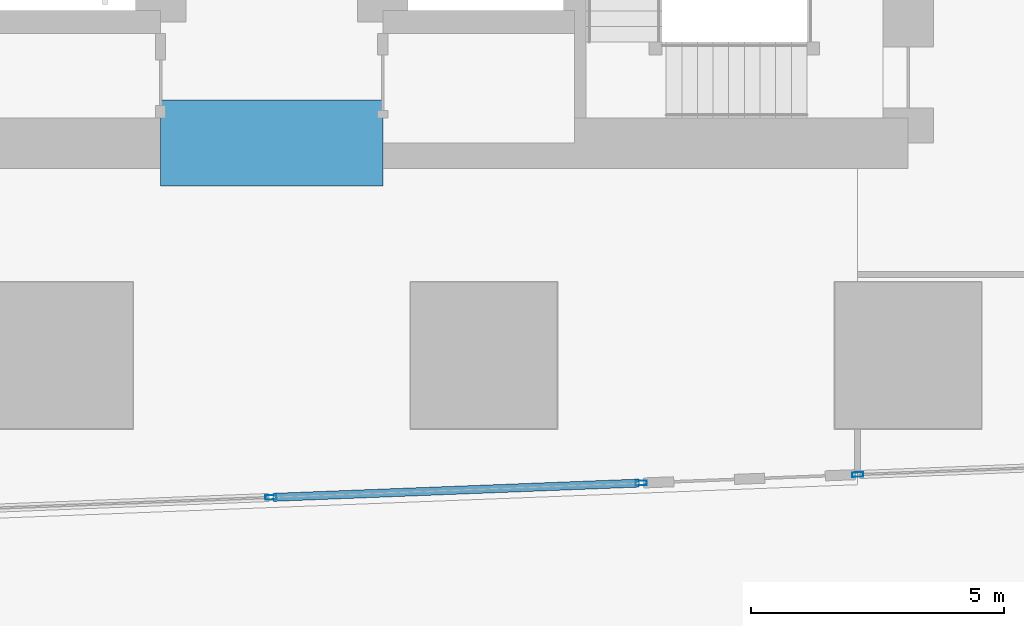
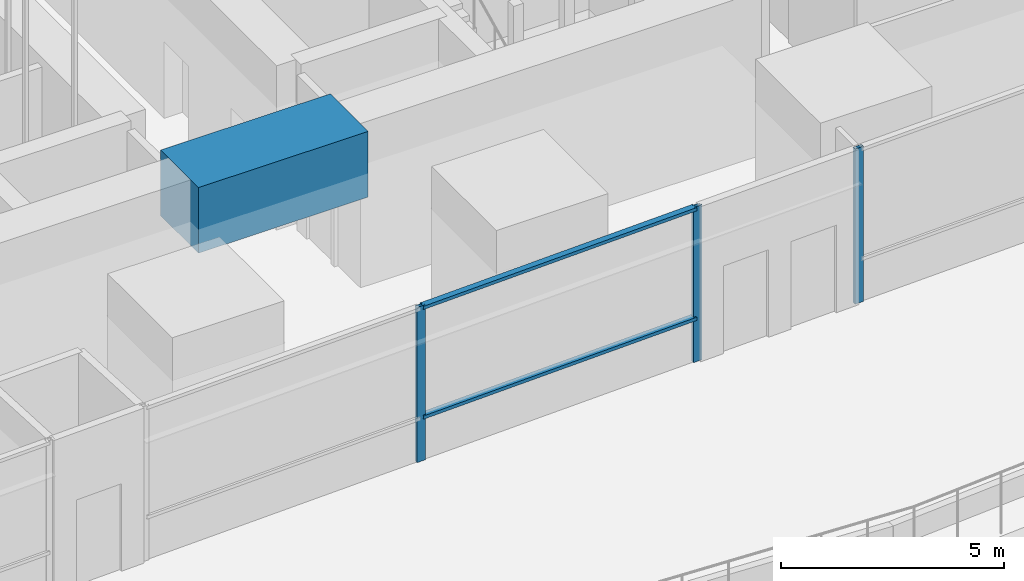
# One storey, part 6 of 44: 5 members, 1 beam, 2 elements without a shape of their own.
"""IFC4 building model written with IfcOpenShell, lengths in metres."""

from ifc_helpers import new_model, si_unit, direction, frame, origin, origin_2d, place, context, subcontext, project, spatial, rectangle, hollow_rectangle, extrude, material, material_profile, profile_set, type_object, element, aggregate, save


model = new_model("IFC4")

# Units and contexts
model_context = context("Model", 3, precision=1e-05, world=origin(), true_north=direction((0.0, 1.0)))
body_context = subcontext(model_context, "Body", "Model", "MODEL_VIEW")
ifc_project = project(units=[si_unit("LENGTHUNIT", "METRE"), si_unit("AREAUNIT", "SQUARE_METRE"), si_unit("VOLUMEUNIT", "CUBIC_METRE"), si_unit("PLANEANGLEUNIT", "RADIAN"), si_unit("MASSUNIT", "GRAM", prefix="KILO")], contexts=[model_context])

# Site, building, storey
site_placement = place(None, origin())
site = spatial("IfcSite", under=ifc_project, at=site_placement, CompositionType="ELEMENT")
building_placement = place(site_placement, origin())
building = spatial("IfcBuilding", under=site, at=building_placement, Name="Rekha Terrace Tower", CompositionType="ELEMENT")
storey_placement = place(building_placement, frame((0.0, 0.0, 90.800048828125)))
storey = spatial("IfcBuildingStorey", under=building, at=storey_placement, Name="L22", CompositionType="ELEMENT", Elevation=90.800048828125)

# Curtain wall, members
ifc_material_1 = material(Name="Aluminium framing", Category="aluminium")
curtain_wall_type = type_object("IfcCurtainWallType", Name="CW5 sky garden glazing", PredefinedType="USERDEFINED", material=ifc_material_1)
curtain_wall_1_placement = place(storey_placement, origin())
curtain_wall_1 = element("IfcCurtainWall", 1, at=curtain_wall_1_placement, inside=storey, type_object=curtain_wall_type, Name="CW5 sky garden curtain wall", ObjectType="SKY GARDEN CURTAIN WALL", PredefinedType="USERDEFINED")
ifc_material_2 = material(Name="Aluminium mullion section", Category="aluminium")
ifc_material_profile_1 = material_profile(ifc_material_2, hollow_rectangle(XDim=0.090087890625, YDim=0.219970703125, WallThickness=0.00390625, at=origin_2d()), Name="AL RHS 90x220")
ifc_profile_set_1 = profile_set([ifc_material_profile_1], Name="Aluminium mullion section")
member_type_1 = type_object("IfcMemberType", Name="CW5 mullion RHS 90 x 220", PredefinedType="MULLION", material=ifc_profile_set_1)
member_1_placement = place(storey_placement, frame((37.785888671875, 13.9853515625, 0.0), z_axis=(0.0, 0.0, 1.0), x_axis=(-0.038889971328, 0.999243498918, 0.0)))
member_1 = element("IfcMember", 2, at=member_1_placement, type_object=member_type_1, Name="CW5 mullion 2", PredefinedType="MULLION", context=body_context, shape_type="SweptSolid", body=[
    extrude(hollow_rectangle(XDim=0.090087890625, YDim=0.219970703125, WallThickness=0.00390625, at=origin_2d()), origin(), (0.0, 0.0, 1.0), 4.25),
])
member_2_placement = place(storey_placement, frame((45.118408203125, 14.270751953125, 0.0), z_axis=(0.0, 0.0, 1.0), x_axis=(-0.038889971328, 0.999243498918, 0.0)))
member_2 = element("IfcMember", 3, at=member_2_placement, type_object=member_type_1, Name="CW5 mullion 3", PredefinedType="MULLION", context=body_context, shape_type="SweptSolid", body=[
    extrude(hollow_rectangle(XDim=0.090087890625, YDim=0.219970703125, WallThickness=0.00390625, at=origin_2d()), origin(), (0.0, 0.0, 1.0), 4.25),
])

# Curtain wall, member
curtain_wall_2_placement = place(storey_placement, origin())
curtain_wall_2 = element("IfcCurtainWall", 4, at=curtain_wall_2_placement, inside=storey, type_object=curtain_wall_type, Name="CW5 sky garden curtain wall", ObjectType="SKY GARDEN CURTAIN WALL", PredefinedType="USERDEFINED")
member_3_placement = place(storey_placement, frame((49.405029296875, 14.4375, 0.0), z_axis=(0.0, 0.0, 1.0), x_axis=(-0.038889971363, 0.999243498917, 0.0)))
member_3 = element("IfcMember", 5, at=member_3_placement, type_object=member_type_1, Name="CW5 mullion 1", PredefinedType="MULLION", context=body_context, shape_type="SweptSolid", body=[
    extrude(hollow_rectangle(XDim=0.090087890625, YDim=0.219970703125, WallThickness=0.00390625, at=origin_2d()), origin(), (0.0, 0.0, 1.0), 4.25),
])
aggregate(curtain_wall_2, [member_3])

# Member
ifc_material_3 = material(Name="Aluminium transom section", Category="aluminium")
ifc_material_profile_2 = material_profile(ifc_material_3, hollow_rectangle(XDim=0.159912109375, YDim=0.090087890625, WallThickness=0.0029296875, at=origin_2d()), Name="AL RHS 160x90")
ifc_profile_set_2 = profile_set([ifc_material_profile_2], Name="Aluminium transom section")
member_type_2 = type_object("IfcMemberType", Name="CW5 transom RHS 90 x 160", PredefinedType="USERDEFINED", material=ifc_profile_set_2)
member_4_placement = place(storey_placement, frame((37.830810546875, 13.987060546875, 1.199951171875), z_axis=(0.999242902443, 0.038905294196, 0.0), x_axis=(-0.038905294196, 0.999242902443, 0.0)))
member_4 = element("IfcMember", 6, at=member_4_placement, type_object=member_type_2, Name="CW5 transom 2.2", ObjectType="TRANSOM", PredefinedType="USERDEFINED", context=body_context, shape_type="SweptSolid", body=[
    extrude(hollow_rectangle(XDim=0.159912109375, YDim=0.090087890625, WallThickness=0.0029296875, at=origin_2d()), origin(), (0.0, 0.0, 1.0), 7.247802734375),
])

member_5_placement = place(storey_placement, frame((37.830810546875, 13.987060546875, 4.204833984375), z_axis=(0.999242902443, 0.038905294196, 0.0), x_axis=(-0.038905294196, 0.999242902443, 0.0)))
member_5 = element("IfcMember", 7, at=member_5_placement, type_object=member_type_2, Name="CW5 transom 2.3", ObjectType="TRANSOM", PredefinedType="USERDEFINED", context=body_context, shape_type="SweptSolid", body=[
    extrude(hollow_rectangle(XDim=0.159912109375, YDim=0.090087890625, WallThickness=0.0029296875, at=origin_2d()), origin(), (0.0, 0.0, 1.0), 7.247802734375),
])

aggregate(curtain_wall_1, [member_1, member_2, member_4, member_5])

# Beam
ifc_material_4 = material(Name="Concrete M70", Category="concrete")
ifc_material_profile_3 = material_profile(ifc_material_4, rectangle(XDim=1.699951171875, YDim=1.800048828125, at=origin_2d()), Name="RC 1700x1800")
ifc_profile_set_3 = profile_set([ifc_material_profile_3], Name="Concrete M70")
beam_type = type_object("IfcBeamType", Name="LB2B 1700x1800 diagonally reinforced coupling beam", PredefinedType="LINTEL", material=ifc_profile_set_3)
beam_placement = place(storey_placement, frame((35.60009765625, 21.0, 3.599853515625), z_axis=(1.0, 0.0, 0.0), x_axis=(0.0, 1.0, 0.0)))
element("IfcBeam", 8, at=beam_placement, inside=storey, type_object=beam_type, Name="Coupling beam LB2B S L22", PredefinedType="LINTEL", context=body_context, shape_type="SweptSolid", body=[
    extrude(rectangle(XDim=1.699951171875, YDim=1.800048828125, at=origin_2d()), origin(), (0.0, 0.0, 1.0), 4.39990234375),
])

save(model, "model.ifc")
